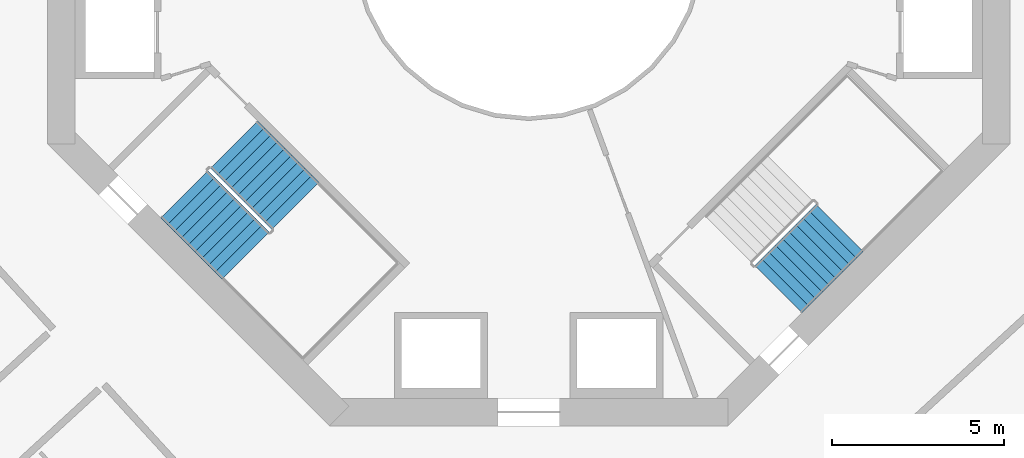
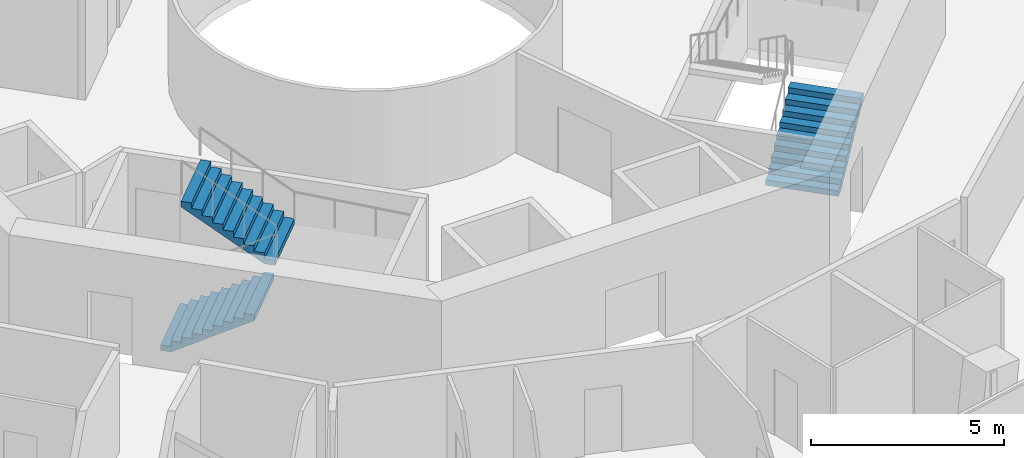
# One storey, part 22 of 24: 3 stair flights, 2 elements without a shape of their own.
"""IFC4 building model written with IfcOpenShell, lengths in metres."""

from ifc_helpers import new_model, si_unit, direction, frame, origin, place, context, subcontext, project, spatial, triangles, material, type_object, element, aggregate, save


model = new_model("IFC4")

# Units and contexts
model_context = context("Model", 3, precision=1e-05, world=origin(), true_north=direction((0.0, 1.0)))
body_context = subcontext(model_context, "Body", "Model", "MODEL_VIEW")
ifc_project = project(units=[si_unit("LENGTHUNIT", "METRE"), si_unit("AREAUNIT", "SQUARE_METRE"), si_unit("VOLUMEUNIT", "CUBIC_METRE"), si_unit("PLANEANGLEUNIT", "RADIAN"), si_unit("MASSUNIT", "GRAM", prefix="KILO")], contexts=[model_context])

# Site, building, storey
site_placement = place(None, origin())
site = spatial("IfcSite", under=ifc_project, at=site_placement, CompositionType="ELEMENT")
building_placement = place(site_placement, origin())
building = spatial("IfcBuilding", under=site, at=building_placement, Name="Verdalira Terraces Hotel", CompositionType="ELEMENT")
storey_placement = place(building_placement, frame((0.0, 0.0, 86.0)))
storey = spatial("IfcBuildingStorey", under=building, at=storey_placement, Name="L19", CompositionType="ELEMENT", Elevation=86.0)

# Stair, stair flights
ifc_material_1 = material(Name="Concrete C40", Category="concrete")
stair_type = type_object("IfcStairType", Name="Core stair 20 risers 1950 mm wide", PredefinedType="HALF_TURN_STAIR", material=ifc_material_1)
stair_1_placement = place(storey_placement, origin())
stair_1 = element("IfcStair", 1, at=stair_1_placement, inside=storey, type_object=stair_type, Name="L19 Exit stair ST2", PredefinedType="HALF_TURN_STAIR")
ifc_material_2 = material(Name="Concrete C40", Category="concrete")
stair_flight_type = type_object("IfcStairFlightType", Name="Core stair flight 20 risers 1950 mm wide", PredefinedType="STRAIGHT", material=ifc_material_2)
stair_flight_1_placement = place(storey_placement, frame((-10.023193, -7.265625, 0.0), z_axis=(0.0, 0.0, 1.0), x_axis=(0.707106781, -0.707106781, 0.0)))
stair_flight_1 = element("IfcStairFlight", 2, at=stair_flight_1_placement, type_object=stair_flight_type, Name="ST2 flight 1", NumberOfRisers=10, NumberOfTreads=9, PredefinedType="STRAIGHT", RiserHeight=0.175, TreadLength=0.28, context=body_context, shape_type="Tessellation", body=[
    triangles([(0.0, 0.974976, 0.0), (0.282715, 0.974976, 0.0), (2.52002, 0.974976, 1.398193), (0.0, -0.974976, 0.0), (0.282715, -0.974976, 0.0), (2.52002, -0.974976, 1.398193), (2.52002, 0.974976, 1.574951), (2.23999, 0.974976, 1.574951), (2.52002, -0.974976, 1.574951), (2.23999, -0.974976, 1.574951), (2.23999, 0.974976, 1.399902), (2.23999, -0.974976, 1.399902), (1.959961, 0.974976, 1.399902), (1.959961, -0.974976, 1.399902), (1.959961, 0.974976, 1.225098), (1.959961, -0.974976, 1.225098), (1.679932, 0.974976, 1.225098), (1.679932, 0.974976, 1.050049), (1.679932, -0.974976, 1.225098), (1.679932, -0.974976, 1.050049), (1.399902, 0.974976, 1.050049), (1.399902, 0.974976, 0.875), (1.399902, -0.974976, 1.050049), (1.399902, -0.974976, 0.875), (1.120117, 0.974976, 0.875), (1.120117, 0.974976, 0.699951), (1.120117, -0.974976, 0.875), (1.120117, -0.974976, 0.699951), (0.840088, 0.974976, 0.699951), (0.840088, 0.974976, 0.524902), (0.840088, -0.974976, 0.699951), (0.840088, -0.974976, 0.524902), (0.560059, 0.974976, 0.524902), (0.560059, 0.974976, 0.350098), (0.560059, -0.974976, 0.524902), (0.560059, -0.974976, 0.350098), (0.280029, 0.974976, 0.350098), (0.280029, 0.974976, 0.175049), (0.280029, -0.974976, 0.350098), (0.280029, -0.974976, 0.175049), (0.0, 0.974976, 0.175049), (0.0, -0.974976, 0.175049), (0.0, -0.91404, 0.0), (0.0, -0.91404, 0.175049), (0.0, -0.853104, 0.0), (0.0, -0.853104, 0.175049), (0.0, -0.792168, 0.0), (0.0, -0.792168, 0.175049), (0.0, -0.731232, 0.0), (0.0, -0.731232, 0.175049), (0.0, -0.670296, 0.0), (0.0, -0.670296, 0.175049), (0.0, -0.60936, 0.0), (0.0, -0.60936, 0.175049), (0.0, -0.548424, 0.0), (0.0, -0.548424, 0.175049), (0.0, -0.487488, 0.0), (0.0, -0.487488, 0.175049), (0.0, -0.426552, 0.0), (0.0, -0.426552, 0.175049), (0.0, -0.365616, 0.0), (0.0, -0.365616, 0.175049), (0.0, -0.30468, 0.0), (0.0, -0.30468, 0.175049), (0.0, -0.243744, 0.0), (0.0, -0.243744, 0.175049), (0.0, -0.182808, 0.0), (0.0, -0.182808, 0.175049), (0.0, -0.121872, 0.0), (0.0, -0.121872, 0.175049), (0.0, -0.060936, 0.0), (0.0, -0.060936, 0.175049), (0.0, 0.0, 0.0), (0.0, 0.0, 0.175049), (0.0, 0.060936, 0.0), (0.0, 0.060936, 0.175049), (0.0, 0.121872, 0.0), (0.0, 0.121872, 0.175049), (0.0, 0.182808, 0.0), (0.0, 0.182808, 0.175049), (0.0, 0.243744, 0.0), (0.0, 0.243744, 0.175049), (0.0, 0.30468, 0.0), (0.0, 0.30468, 0.175049), (0.0, 0.365616, 0.0), (0.0, 0.365616, 0.175049), (0.0, 0.426552, 0.0), (0.0, 0.426552, 0.175049), (0.0, 0.487488, 0.0), (0.0, 0.487488, 0.175049), (0.0, 0.548424, 0.0), (0.0, 0.548424, 0.175049), (0.0, 0.60936, 0.0), (0.0, 0.60936, 0.175049), (0.0, 0.670296, 0.0), (0.0, 0.670296, 0.175049), (0.0, 0.731232, 0.0), (0.0, 0.731232, 0.175049), (0.0, 0.792168, 0.0), (0.0, 0.792168, 0.175049), (0.0, 0.853104, 0.0), (0.0, 0.853104, 0.175049), (0.0, 0.91404, 0.0), (0.0, 0.91404, 0.175049), (2.52002, -0.91404, 1.574951), (2.52002, -0.853104, 1.574951), (2.52002, -0.792168, 1.574951), (2.52002, -0.731232, 1.574951), (2.52002, -0.670296, 1.574951), (2.52002, -0.60936, 1.574951), (2.52002, -0.548424, 1.574951), (2.52002, -0.487488, 1.574951), (2.52002, -0.426552, 1.574951), (2.52002, -0.365616, 1.574951), (2.52002, -0.30468, 1.574951), (2.52002, -0.243744, 1.574951), (2.52002, -0.182808, 1.574951), (2.52002, -0.121872, 1.574951), (2.52002, -0.060936, 1.574951), (2.52002, 0.0, 1.574951), (2.52002, 0.060936, 1.574951), (2.52002, 0.121872, 1.574951), (2.52002, 0.182808, 1.574951), (2.52002, 0.243744, 1.574951), (2.52002, 0.30468, 1.574951), (2.52002, 0.365616, 1.574951), (2.52002, 0.426552, 1.574951), (2.52002, 0.487488, 1.574951), (2.52002, 0.548424, 1.574951), (2.52002, 0.60936, 1.574951), (2.52002, 0.670296, 1.574951), (2.52002, 0.731232, 1.574951), (2.52002, 0.792168, 1.574951), (2.52002, 0.853104, 1.574951), (2.52002, 0.91404, 1.574951), (2.52002, -0.91404, 1.398193), (2.52002, -0.853104, 1.398193), (2.52002, -0.792168, 1.398193), (2.52002, -0.731232, 1.398193), (2.52002, -0.670296, 1.398193), (2.52002, -0.60936, 1.398193), (2.52002, -0.548424, 1.398193), (2.52002, -0.487488, 1.398193), (2.52002, -0.426552, 1.398193), (2.52002, -0.365616, 1.398193), (2.52002, -0.30468, 1.398193), (2.52002, -0.243744, 1.398193), (2.52002, -0.182808, 1.398193), (2.52002, -0.121872, 1.398193), (2.52002, -0.060936, 1.398193), (2.52002, 0.0, 1.398193), (2.52002, 0.060936, 1.398193), (2.52002, 0.121872, 1.398193), (2.52002, 0.182808, 1.398193), (2.52002, 0.243744, 1.398193), (2.52002, 0.30468, 1.398193), (2.52002, 0.365616, 1.398193), (2.52002, 0.426552, 1.398193), (2.52002, 0.487488, 1.398193), (2.52002, 0.548424, 1.398193), (2.52002, 0.60936, 1.398193), (2.52002, 0.670296, 1.398193), (2.52002, 0.731232, 1.398193), (2.52002, 0.792168, 1.398193), (2.52002, 0.853104, 1.398193), (2.52002, 0.91404, 1.398193)], [[1, 3, 2], [4, 5, 6], [3, 8, 7], [6, 9, 10], [3, 11, 8], [6, 10, 12], [3, 13, 11], [6, 12, 14], [3, 15, 13], [6, 14, 16], [15, 18, 17], [16, 19, 20], [3, 18, 15], [6, 16, 20], [18, 22, 21], [20, 23, 24], [3, 22, 18], [6, 20, 24], [22, 26, 25], [24, 27, 28], [3, 26, 22], [6, 24, 28], [26, 30, 29], [28, 31, 32], [3, 30, 26], [6, 28, 32], [1, 30, 3], [4, 6, 32], [30, 34, 33], [32, 35, 36], [34, 38, 37], [36, 39, 40], [30, 38, 34], [32, 36, 40], [1, 38, 30], [4, 32, 40], [38, 1, 41], [40, 42, 4], [4, 44, 43], [4, 42, 44], [43, 46, 45], [43, 44, 46], [45, 48, 47], [45, 46, 48], [47, 50, 49], [47, 48, 50], [49, 52, 51], [49, 50, 52], [51, 54, 53], [51, 52, 54], [53, 56, 55], [53, 54, 56], [55, 58, 57], [55, 56, 58], [57, 60, 59], [57, 58, 60], [59, 62, 61], [59, 60, 62], [61, 64, 63], [61, 62, 64], [63, 66, 65], [63, 64, 66], [65, 68, 67], [65, 66, 68], [67, 70, 69], [67, 68, 70], [69, 72, 71], [69, 70, 72], [71, 74, 73], [71, 72, 74], [73, 76, 75], [73, 74, 76], [75, 78, 77], [75, 76, 78], [77, 80, 79], [77, 78, 80], [79, 82, 81], [79, 80, 82], [81, 84, 83], [81, 82, 84], [83, 86, 85], [83, 84, 86], [85, 88, 87], [85, 86, 88], [87, 90, 89], [87, 88, 90], [89, 92, 91], [89, 90, 92], [91, 94, 93], [91, 92, 94], [93, 96, 95], [93, 94, 96], [95, 98, 97], [95, 96, 98], [97, 100, 99], [97, 98, 100], [99, 102, 101], [99, 100, 102], [101, 104, 103], [101, 102, 104], [103, 41, 1], [103, 104, 41], [42, 40, 44], [44, 40, 46], [46, 40, 48], [48, 40, 50], [50, 40, 52], [52, 40, 54], [54, 40, 56], [56, 40, 58], [58, 40, 60], [60, 40, 62], [62, 40, 64], [64, 40, 66], [66, 40, 68], [68, 40, 70], [70, 40, 72], [72, 40, 74], [74, 40, 76], [76, 40, 78], [78, 40, 80], [80, 40, 82], [82, 40, 84], [84, 40, 86], [86, 40, 88], [88, 40, 90], [90, 40, 92], [92, 40, 94], [94, 40, 96], [96, 40, 98], [98, 40, 100], [100, 40, 102], [102, 40, 104], [104, 40, 41], [41, 40, 38], [40, 37, 38], [40, 39, 37], [39, 34, 37], [39, 36, 34], [36, 33, 34], [36, 35, 33], [35, 30, 33], [35, 32, 30], [32, 29, 30], [32, 31, 29], [31, 26, 29], [31, 28, 26], [28, 25, 26], [28, 27, 25], [27, 22, 25], [27, 24, 22], [24, 21, 22], [24, 23, 21], [23, 18, 21], [23, 20, 18], [20, 17, 18], [20, 19, 17], [19, 15, 17], [19, 16, 15], [16, 13, 15], [16, 14, 13], [14, 11, 13], [14, 12, 11], [12, 8, 11], [12, 10, 8], [9, 105, 10], [105, 106, 10], [106, 107, 10], [107, 108, 10], [108, 109, 10], [109, 110, 10], [110, 111, 10], [111, 112, 10], [112, 113, 10], [113, 114, 10], [114, 115, 10], [115, 116, 10], [116, 117, 10], [117, 118, 10], [118, 119, 10], [119, 120, 10], [120, 121, 10], [121, 122, 10], [122, 123, 10], [123, 124, 10], [124, 125, 10], [125, 126, 10], [126, 127, 10], [127, 128, 10], [128, 129, 10], [129, 130, 10], [130, 131, 10], [131, 132, 10], [132, 133, 10], [133, 134, 10], [134, 135, 10], [135, 7, 10], [7, 8, 10], [9, 136, 105], [9, 6, 136], [105, 137, 106], [105, 136, 137], [106, 138, 107], [106, 137, 138], [107, 139, 108], [107, 138, 139], [108, 140, 109], [108, 139, 140], [109, 141, 110], [109, 140, 141], [110, 142, 111], [110, 141, 142], [111, 143, 112], [111, 142, 143], [112, 144, 113], [112, 143, 144], [113, 145, 114], [113, 144, 145], [114, 146, 115], [114, 145, 146], [115, 147, 116], [115, 146, 147], [116, 148, 117], [116, 147, 148], [117, 149, 118], [117, 148, 149], [118, 150, 119], [118, 149, 150], [119, 151, 120], [119, 150, 151], [120, 152, 121], [120, 151, 152], [121, 153, 122], [121, 152, 153], [122, 154, 123], [122, 153, 154], [123, 155, 124], [123, 154, 155], [124, 156, 125], [124, 155, 156], [125, 157, 126], [125, 156, 157], [126, 158, 127], [126, 157, 158], [127, 159, 128], [127, 158, 159], [128, 160, 129], [128, 159, 160], [129, 161, 130], [129, 160, 161], [130, 162, 131], [130, 161, 162], [131, 163, 132], [131, 162, 163], [132, 164, 133], [132, 163, 164], [133, 165, 134], [133, 164, 165], [134, 166, 135], [134, 165, 166], [135, 3, 7], [135, 166, 3], [6, 5, 136], [136, 5, 137], [137, 5, 138], [138, 5, 139], [139, 5, 140], [140, 5, 141], [141, 5, 142], [142, 5, 143], [143, 5, 144], [144, 5, 145], [145, 5, 146], [146, 5, 147], [147, 5, 148], [148, 5, 149], [149, 5, 150], [150, 5, 151], [151, 5, 152], [152, 5, 153], [153, 5, 154], [154, 5, 155], [155, 5, 156], [156, 5, 157], [157, 5, 158], [158, 5, 159], [159, 5, 160], [160, 5, 161], [161, 5, 162], [162, 5, 163], [163, 5, 164], [164, 5, 165], [165, 5, 166], [166, 5, 3], [3, 5, 2], [4, 43, 5], [43, 45, 5], [45, 47, 5], [47, 49, 5], [49, 51, 5], [51, 53, 5], [53, 55, 5], [55, 57, 5], [57, 59, 5], [59, 61, 5], [61, 63, 5], [63, 65, 5], [65, 67, 5], [67, 69, 5], [69, 71, 5], [71, 73, 5], [73, 75, 5], [75, 77, 5], [77, 79, 5], [79, 81, 5], [81, 83, 5], [83, 85, 5], [85, 87, 5], [87, 89, 5], [89, 91, 5], [91, 93, 5], [93, 95, 5], [95, 97, 5], [97, 99, 5], [99, 101, 5], [101, 103, 5], [103, 1, 5], [1, 2, 5]], closed=True),
])
stair_flight_2_placement = place(storey_placement, frame((-6.791748, -7.5979, 1.75), z_axis=(0.0, 0.0, 1.0), x_axis=(-0.707106781, 0.707106781, 0.0)))
stair_flight_2 = element("IfcStairFlight", 3, at=stair_flight_2_placement, type_object=stair_flight_type, Name="ST2 flight 2", NumberOfRisers=10, NumberOfTreads=9, PredefinedType="STRAIGHT", RiserHeight=0.175, TreadLength=0.28, context=body_context, shape_type="Tessellation", body=[
    triangles([(0.0, 0.974976, 0.0), (0.282715, 0.974976, 0.0), (2.52002, 0.974976, 1.398193), (0.0, -0.974976, 0.0), (0.282715, -0.974976, 0.0), (2.52002, -0.974976, 1.398193), (2.52002, 0.974976, 1.574951), (2.23999, 0.974976, 1.574951), (2.52002, -0.974976, 1.574951), (2.23999, -0.974976, 1.574951), (2.23999, 0.974976, 1.399902), (2.23999, -0.974976, 1.399902), (1.959961, 0.974976, 1.399902), (1.959961, -0.974976, 1.399902), (1.959961, 0.974976, 1.225098), (1.959961, -0.974976, 1.225098), (1.679932, 0.974976, 1.225098), (1.679932, 0.974976, 1.050049), (1.679932, -0.974976, 1.225098), (1.679932, -0.974976, 1.050049), (1.399902, 0.974976, 1.050049), (1.399902, 0.974976, 0.875), (1.399902, -0.974976, 1.050049), (1.399902, -0.974976, 0.875), (1.120117, 0.974976, 0.875), (1.120117, 0.974976, 0.699951), (1.120117, -0.974976, 0.875), (1.120117, -0.974976, 0.699951), (0.840088, 0.974976, 0.699951), (0.840088, 0.974976, 0.524902), (0.840088, -0.974976, 0.699951), (0.840088, -0.974976, 0.524902), (0.560059, 0.974976, 0.524902), (0.560059, 0.974976, 0.350098), (0.560059, -0.974976, 0.524902), (0.560059, -0.974976, 0.350098), (0.280029, 0.974976, 0.350098), (0.280029, 0.974976, 0.175049), (0.280029, -0.974976, 0.350098), (0.280029, -0.974976, 0.175049), (0.0, 0.974976, 0.175049), (0.0, -0.974976, 0.175049), (0.0, -0.91404, 0.0), (0.0, -0.91404, 0.175049), (0.0, -0.853104, 0.0), (0.0, -0.853104, 0.175049), (0.0, -0.792168, 0.0), (0.0, -0.792168, 0.175049), (0.0, -0.731232, 0.0), (0.0, -0.731232, 0.175049), (0.0, -0.670296, 0.0), (0.0, -0.670296, 0.175049), (0.0, -0.60936, 0.0), (0.0, -0.60936, 0.175049), (0.0, -0.548424, 0.0), (0.0, -0.548424, 0.175049), (0.0, -0.487488, 0.0), (0.0, -0.487488, 0.175049), (0.0, -0.426552, 0.0), (0.0, -0.426552, 0.175049), (0.0, -0.365616, 0.0), (0.0, -0.365616, 0.175049), (0.0, -0.30468, 0.0), (0.0, -0.30468, 0.175049), (0.0, -0.243744, 0.0), (0.0, -0.243744, 0.175049), (0.0, -0.182808, 0.0), (0.0, -0.182808, 0.175049), (0.0, -0.121872, 0.0), (0.0, -0.121872, 0.175049), (0.0, -0.060936, 0.0), (0.0, -0.060936, 0.175049), (0.0, 0.0, 0.0), (0.0, 0.0, 0.175049), (0.0, 0.060936, 0.0), (0.0, 0.060936, 0.175049), (0.0, 0.121872, 0.0), (0.0, 0.121872, 0.175049), (0.0, 0.182808, 0.0), (0.0, 0.182808, 0.175049), (0.0, 0.243744, 0.0), (0.0, 0.243744, 0.175049), (0.0, 0.30468, 0.0), (0.0, 0.30468, 0.175049), (0.0, 0.365616, 0.0), (0.0, 0.365616, 0.175049), (0.0, 0.426552, 0.0), (0.0, 0.426552, 0.175049), (0.0, 0.487488, 0.0), (0.0, 0.487488, 0.175049), (0.0, 0.548424, 0.0), (0.0, 0.548424, 0.175049), (0.0, 0.60936, 0.0), (0.0, 0.60936, 0.175049), (0.0, 0.670296, 0.0), (0.0, 0.670296, 0.175049), (0.0, 0.731232, 0.0), (0.0, 0.731232, 0.175049), (0.0, 0.792168, 0.0), (0.0, 0.792168, 0.175049), (0.0, 0.853104, 0.0), (0.0, 0.853104, 0.175049), (0.0, 0.91404, 0.0), (0.0, 0.91404, 0.175049), (2.52002, -0.91404, 1.574951), (2.52002, -0.853104, 1.574951), (2.52002, -0.792168, 1.574951), (2.52002, -0.731232, 1.574951), (2.52002, -0.670296, 1.574951), (2.52002, -0.60936, 1.574951), (2.52002, -0.548424, 1.574951), (2.52002, -0.487488, 1.574951), (2.52002, -0.426552, 1.574951), (2.52002, -0.365616, 1.574951), (2.52002, -0.30468, 1.574951), (2.52002, -0.243744, 1.574951), (2.52002, -0.182808, 1.574951), (2.52002, -0.121872, 1.574951), (2.52002, -0.060936, 1.574951), (2.52002, 0.0, 1.574951), (2.52002, 0.060936, 1.574951), (2.52002, 0.121872, 1.574951), (2.52002, 0.182808, 1.574951), (2.52002, 0.243744, 1.574951), (2.52002, 0.30468, 1.574951), (2.52002, 0.365616, 1.574951), (2.52002, 0.426552, 1.574951), (2.52002, 0.487488, 1.574951), (2.52002, 0.548424, 1.574951), (2.52002, 0.60936, 1.574951), (2.52002, 0.670296, 1.574951), (2.52002, 0.731232, 1.574951), (2.52002, 0.792168, 1.574951), (2.52002, 0.853104, 1.574951), (2.52002, 0.91404, 1.574951), (2.52002, -0.91404, 1.398193), (2.52002, -0.853104, 1.398193), (2.52002, -0.792168, 1.398193), (2.52002, -0.731232, 1.398193), (2.52002, -0.670296, 1.398193), (2.52002, -0.60936, 1.398193), (2.52002, -0.548424, 1.398193), (2.52002, -0.487488, 1.398193), (2.52002, -0.426552, 1.398193), (2.52002, -0.365616, 1.398193), (2.52002, -0.30468, 1.398193), (2.52002, -0.243744, 1.398193), (2.52002, -0.182808, 1.398193), (2.52002, -0.121872, 1.398193), (2.52002, -0.060936, 1.398193), (2.52002, 0.0, 1.398193), (2.52002, 0.060936, 1.398193), (2.52002, 0.121872, 1.398193), (2.52002, 0.182808, 1.398193), (2.52002, 0.243744, 1.398193), (2.52002, 0.30468, 1.398193), (2.52002, 0.365616, 1.398193), (2.52002, 0.426552, 1.398193), (2.52002, 0.487488, 1.398193), (2.52002, 0.548424, 1.398193), (2.52002, 0.60936, 1.398193), (2.52002, 0.670296, 1.398193), (2.52002, 0.731232, 1.398193), (2.52002, 0.792168, 1.398193), (2.52002, 0.853104, 1.398193), (2.52002, 0.91404, 1.398193)], [[1, 3, 2], [4, 5, 6], [3, 8, 7], [6, 9, 10], [3, 11, 8], [6, 10, 12], [3, 13, 11], [6, 12, 14], [3, 15, 13], [6, 14, 16], [15, 18, 17], [16, 19, 20], [3, 18, 15], [6, 16, 20], [18, 22, 21], [20, 23, 24], [3, 22, 18], [6, 20, 24], [22, 26, 25], [24, 27, 28], [3, 26, 22], [6, 24, 28], [26, 30, 29], [28, 31, 32], [3, 30, 26], [6, 28, 32], [1, 30, 3], [4, 6, 32], [30, 34, 33], [32, 35, 36], [34, 38, 37], [36, 39, 40], [30, 38, 34], [32, 36, 40], [1, 38, 30], [4, 32, 40], [38, 1, 41], [40, 42, 4], [4, 44, 43], [4, 42, 44], [43, 46, 45], [43, 44, 46], [45, 48, 47], [45, 46, 48], [47, 50, 49], [47, 48, 50], [49, 52, 51], [49, 50, 52], [51, 54, 53], [51, 52, 54], [53, 56, 55], [53, 54, 56], [55, 58, 57], [55, 56, 58], [57, 60, 59], [57, 58, 60], [59, 62, 61], [59, 60, 62], [61, 64, 63], [61, 62, 64], [63, 66, 65], [63, 64, 66], [65, 68, 67], [65, 66, 68], [67, 70, 69], [67, 68, 70], [69, 72, 71], [69, 70, 72], [71, 74, 73], [71, 72, 74], [73, 76, 75], [73, 74, 76], [75, 78, 77], [75, 76, 78], [77, 80, 79], [77, 78, 80], [79, 82, 81], [79, 80, 82], [81, 84, 83], [81, 82, 84], [83, 86, 85], [83, 84, 86], [85, 88, 87], [85, 86, 88], [87, 90, 89], [87, 88, 90], [89, 92, 91], [89, 90, 92], [91, 94, 93], [91, 92, 94], [93, 96, 95], [93, 94, 96], [95, 98, 97], [95, 96, 98], [97, 100, 99], [97, 98, 100], [99, 102, 101], [99, 100, 102], [101, 104, 103], [101, 102, 104], [103, 41, 1], [103, 104, 41], [42, 40, 44], [44, 40, 46], [46, 40, 48], [48, 40, 50], [50, 40, 52], [52, 40, 54], [54, 40, 56], [56, 40, 58], [58, 40, 60], [60, 40, 62], [62, 40, 64], [64, 40, 66], [66, 40, 68], [68, 40, 70], [70, 40, 72], [72, 40, 74], [74, 40, 76], [76, 40, 78], [78, 40, 80], [80, 40, 82], [82, 40, 84], [84, 40, 86], [86, 40, 88], [88, 40, 90], [90, 40, 92], [92, 40, 94], [94, 40, 96], [96, 40, 98], [98, 40, 100], [100, 40, 102], [102, 40, 104], [104, 40, 41], [41, 40, 38], [40, 37, 38], [40, 39, 37], [39, 34, 37], [39, 36, 34], [36, 33, 34], [36, 35, 33], [35, 30, 33], [35, 32, 30], [32, 29, 30], [32, 31, 29], [31, 26, 29], [31, 28, 26], [28, 25, 26], [28, 27, 25], [27, 22, 25], [27, 24, 22], [24, 21, 22], [24, 23, 21], [23, 18, 21], [23, 20, 18], [20, 17, 18], [20, 19, 17], [19, 15, 17], [19, 16, 15], [16, 13, 15], [16, 14, 13], [14, 11, 13], [14, 12, 11], [12, 8, 11], [12, 10, 8], [9, 105, 10], [105, 106, 10], [106, 107, 10], [107, 108, 10], [108, 109, 10], [109, 110, 10], [110, 111, 10], [111, 112, 10], [112, 113, 10], [113, 114, 10], [114, 115, 10], [115, 116, 10], [116, 117, 10], [117, 118, 10], [118, 119, 10], [119, 120, 10], [120, 121, 10], [121, 122, 10], [122, 123, 10], [123, 124, 10], [124, 125, 10], [125, 126, 10], [126, 127, 10], [127, 128, 10], [128, 129, 10], [129, 130, 10], [130, 131, 10], [131, 132, 10], [132, 133, 10], [133, 134, 10], [134, 135, 10], [135, 7, 10], [7, 8, 10], [9, 136, 105], [9, 6, 136], [105, 137, 106], [105, 136, 137], [106, 138, 107], [106, 137, 138], [107, 139, 108], [107, 138, 139], [108, 140, 109], [108, 139, 140], [109, 141, 110], [109, 140, 141], [110, 142, 111], [110, 141, 142], [111, 143, 112], [111, 142, 143], [112, 144, 113], [112, 143, 144], [113, 145, 114], [113, 144, 145], [114, 146, 115], [114, 145, 146], [115, 147, 116], [115, 146, 147], [116, 148, 117], [116, 147, 148], [117, 149, 118], [117, 148, 149], [118, 150, 119], [118, 149, 150], [119, 151, 120], [119, 150, 151], [120, 152, 121], [120, 151, 152], [121, 153, 122], [121, 152, 153], [122, 154, 123], [122, 153, 154], [123, 155, 124], [123, 154, 155], [124, 156, 125], [124, 155, 156], [125, 157, 126], [125, 156, 157], [126, 158, 127], [126, 157, 158], [127, 159, 128], [127, 158, 159], [128, 160, 129], [128, 159, 160], [129, 161, 130], [129, 160, 161], [130, 162, 131], [130, 161, 162], [131, 163, 132], [131, 162, 163], [132, 164, 133], [132, 163, 164], [133, 165, 134], [133, 164, 165], [134, 166, 135], [134, 165, 166], [135, 3, 7], [135, 166, 3], [6, 5, 136], [136, 5, 137], [137, 5, 138], [138, 5, 139], [139, 5, 140], [140, 5, 141], [141, 5, 142], [142, 5, 143], [143, 5, 144], [144, 5, 145], [145, 5, 146], [146, 5, 147], [147, 5, 148], [148, 5, 149], [149, 5, 150], [150, 5, 151], [151, 5, 152], [152, 5, 153], [153, 5, 154], [154, 5, 155], [155, 5, 156], [156, 5, 157], [157, 5, 158], [158, 5, 159], [159, 5, 160], [160, 5, 161], [161, 5, 162], [162, 5, 163], [163, 5, 164], [164, 5, 165], [165, 5, 166], [166, 5, 3], [3, 5, 2], [4, 43, 5], [43, 45, 5], [45, 47, 5], [47, 49, 5], [49, 51, 5], [51, 53, 5], [53, 55, 5], [55, 57, 5], [57, 59, 5], [59, 61, 5], [61, 63, 5], [63, 65, 5], [65, 67, 5], [67, 69, 5], [69, 71, 5], [71, 73, 5], [73, 75, 5], [75, 77, 5], [77, 79, 5], [79, 81, 5], [81, 83, 5], [83, 85, 5], [85, 87, 5], [87, 89, 5], [89, 91, 5], [91, 93, 5], [93, 95, 5], [95, 97, 5], [97, 99, 5], [99, 101, 5], [101, 103, 5], [103, 1, 5], [1, 2, 5]], closed=True),
])
aggregate(stair_1, [stair_flight_1, stair_flight_2])

# Stair, stair flight
stair_2_placement = place(storey_placement, origin())
stair_2 = element("IfcStair", 4, at=stair_2_placement, inside=storey, type_object=stair_type, Name="L19 Exit stair ST3", PredefinedType="HALF_TURN_STAIR")
stair_flight_3_placement = place(storey_placement, frame((7.265625, -10.023193, 0.0), z_axis=(0.0, 0.0, 1.0), x_axis=(0.707106781, 0.707106781, 0.0)))
stair_flight_3 = element("IfcStairFlight", 5, at=stair_flight_3_placement, type_object=stair_flight_type, Name="ST3 flight 1", NumberOfRisers=10, NumberOfTreads=9, PredefinedType="STRAIGHT", RiserHeight=0.175, TreadLength=0.28, context=body_context, shape_type="Tessellation", body=[
    triangles([(0.0, 0.974976, 0.0), (0.282715, 0.974976, 0.0), (2.52002, 0.974976, 1.398193), (0.0, -0.974976, 0.0), (0.282715, -0.974976, 0.0), (2.52002, -0.974976, 1.398193), (2.52002, 0.974976, 1.574951), (2.23999, 0.974976, 1.574951), (2.52002, -0.974976, 1.574951), (2.23999, -0.974976, 1.574951), (2.23999, 0.974976, 1.399902), (2.23999, -0.974976, 1.399902), (1.959961, 0.974976, 1.399902), (1.959961, -0.974976, 1.399902), (1.959961, 0.974976, 1.225098), (1.959961, -0.974976, 1.225098), (1.679932, 0.974976, 1.225098), (1.679932, 0.974976, 1.050049), (1.679932, -0.974976, 1.225098), (1.679932, -0.974976, 1.050049), (1.399902, 0.974976, 1.050049), (1.399902, 0.974976, 0.875), (1.399902, -0.974976, 1.050049), (1.399902, -0.974976, 0.875), (1.120117, 0.974976, 0.875), (1.120117, 0.974976, 0.699951), (1.120117, -0.974976, 0.875), (1.120117, -0.974976, 0.699951), (0.840088, 0.974976, 0.699951), (0.840088, 0.974976, 0.524902), (0.840088, -0.974976, 0.699951), (0.840088, -0.974976, 0.524902), (0.560059, 0.974976, 0.524902), (0.560059, 0.974976, 0.350098), (0.560059, -0.974976, 0.524902), (0.560059, -0.974976, 0.350098), (0.280029, 0.974976, 0.350098), (0.280029, 0.974976, 0.175049), (0.280029, -0.974976, 0.350098), (0.280029, -0.974976, 0.175049), (0.0, 0.974976, 0.175049), (0.0, -0.974976, 0.175049), (0.0, -0.91404, 0.0), (0.0, -0.91404, 0.175049), (0.0, -0.853104, 0.0), (0.0, -0.853104, 0.175049), (0.0, -0.792168, 0.0), (0.0, -0.792168, 0.175049), (0.0, -0.731232, 0.0), (0.0, -0.731232, 0.175049), (0.0, -0.670296, 0.0), (0.0, -0.670296, 0.175049), (0.0, -0.60936, 0.0), (0.0, -0.60936, 0.175049), (0.0, -0.548424, 0.0), (0.0, -0.548424, 0.175049), (0.0, -0.487488, 0.0), (0.0, -0.487488, 0.175049), (0.0, -0.426552, 0.0), (0.0, -0.426552, 0.175049), (0.0, -0.365616, 0.0), (0.0, -0.365616, 0.175049), (0.0, -0.30468, 0.0), (0.0, -0.30468, 0.175049), (0.0, -0.243744, 0.0), (0.0, -0.243744, 0.175049), (0.0, -0.182808, 0.0), (0.0, -0.182808, 0.175049), (0.0, -0.121872, 0.0), (0.0, -0.121872, 0.175049), (0.0, -0.060936, 0.0), (0.0, -0.060936, 0.175049), (0.0, 0.0, 0.0), (0.0, 0.0, 0.175049), (0.0, 0.060936, 0.0), (0.0, 0.060936, 0.175049), (0.0, 0.121872, 0.0), (0.0, 0.121872, 0.175049), (0.0, 0.182808, 0.0), (0.0, 0.182808, 0.175049), (0.0, 0.243744, 0.0), (0.0, 0.243744, 0.175049), (0.0, 0.30468, 0.0), (0.0, 0.30468, 0.175049), (0.0, 0.365616, 0.0), (0.0, 0.365616, 0.175049), (0.0, 0.426552, 0.0), (0.0, 0.426552, 0.175049), (0.0, 0.487488, 0.0), (0.0, 0.487488, 0.175049), (0.0, 0.548424, 0.0), (0.0, 0.548424, 0.175049), (0.0, 0.60936, 0.0), (0.0, 0.60936, 0.175049), (0.0, 0.670296, 0.0), (0.0, 0.670296, 0.175049), (0.0, 0.731232, 0.0), (0.0, 0.731232, 0.175049), (0.0, 0.792168, 0.0), (0.0, 0.792168, 0.175049), (0.0, 0.853104, 0.0), (0.0, 0.853104, 0.175049), (0.0, 0.91404, 0.0), (0.0, 0.91404, 0.175049), (2.52002, -0.91404, 1.574951), (2.52002, -0.853104, 1.574951), (2.52002, -0.792168, 1.574951), (2.52002, -0.731232, 1.574951), (2.52002, -0.670296, 1.574951), (2.52002, -0.60936, 1.574951), (2.52002, -0.548424, 1.574951), (2.52002, -0.487488, 1.574951), (2.52002, -0.426552, 1.574951), (2.52002, -0.365616, 1.574951), (2.52002, -0.30468, 1.574951), (2.52002, -0.243744, 1.574951), (2.52002, -0.182808, 1.574951), (2.52002, -0.121872, 1.574951), (2.52002, -0.060936, 1.574951), (2.52002, 0.0, 1.574951), (2.52002, 0.060936, 1.574951), (2.52002, 0.121872, 1.574951), (2.52002, 0.182808, 1.574951), (2.52002, 0.243744, 1.574951), (2.52002, 0.30468, 1.574951), (2.52002, 0.365616, 1.574951), (2.52002, 0.426552, 1.574951), (2.52002, 0.487488, 1.574951), (2.52002, 0.548424, 1.574951), (2.52002, 0.60936, 1.574951), (2.52002, 0.670296, 1.574951), (2.52002, 0.731232, 1.574951), (2.52002, 0.792168, 1.574951), (2.52002, 0.853104, 1.574951), (2.52002, 0.91404, 1.574951), (2.52002, -0.91404, 1.398193), (2.52002, -0.853104, 1.398193), (2.52002, -0.792168, 1.398193), (2.52002, -0.731232, 1.398193), (2.52002, -0.670296, 1.398193), (2.52002, -0.60936, 1.398193), (2.52002, -0.548424, 1.398193), (2.52002, -0.487488, 1.398193), (2.52002, -0.426552, 1.398193), (2.52002, -0.365616, 1.398193), (2.52002, -0.30468, 1.398193), (2.52002, -0.243744, 1.398193), (2.52002, -0.182808, 1.398193), (2.52002, -0.121872, 1.398193), (2.52002, -0.060936, 1.398193), (2.52002, 0.0, 1.398193), (2.52002, 0.060936, 1.398193), (2.52002, 0.121872, 1.398193), (2.52002, 0.182808, 1.398193), (2.52002, 0.243744, 1.398193), (2.52002, 0.30468, 1.398193), (2.52002, 0.365616, 1.398193), (2.52002, 0.426552, 1.398193), (2.52002, 0.487488, 1.398193), (2.52002, 0.548424, 1.398193), (2.52002, 0.60936, 1.398193), (2.52002, 0.670296, 1.398193), (2.52002, 0.731232, 1.398193), (2.52002, 0.792168, 1.398193), (2.52002, 0.853104, 1.398193), (2.52002, 0.91404, 1.398193)], [[1, 3, 2], [4, 5, 6], [3, 8, 7], [6, 9, 10], [3, 11, 8], [6, 10, 12], [3, 13, 11], [6, 12, 14], [3, 15, 13], [6, 14, 16], [15, 18, 17], [16, 19, 20], [3, 18, 15], [6, 16, 20], [18, 22, 21], [20, 23, 24], [3, 22, 18], [6, 20, 24], [22, 26, 25], [24, 27, 28], [3, 26, 22], [6, 24, 28], [26, 30, 29], [28, 31, 32], [3, 30, 26], [6, 28, 32], [1, 30, 3], [4, 6, 32], [30, 34, 33], [32, 35, 36], [34, 38, 37], [36, 39, 40], [30, 38, 34], [32, 36, 40], [1, 38, 30], [4, 32, 40], [38, 1, 41], [40, 42, 4], [4, 44, 43], [4, 42, 44], [43, 46, 45], [43, 44, 46], [45, 48, 47], [45, 46, 48], [47, 50, 49], [47, 48, 50], [49, 52, 51], [49, 50, 52], [51, 54, 53], [51, 52, 54], [53, 56, 55], [53, 54, 56], [55, 58, 57], [55, 56, 58], [57, 60, 59], [57, 58, 60], [59, 62, 61], [59, 60, 62], [61, 64, 63], [61, 62, 64], [63, 66, 65], [63, 64, 66], [65, 68, 67], [65, 66, 68], [67, 70, 69], [67, 68, 70], [69, 72, 71], [69, 70, 72], [71, 74, 73], [71, 72, 74], [73, 76, 75], [73, 74, 76], [75, 78, 77], [75, 76, 78], [77, 80, 79], [77, 78, 80], [79, 82, 81], [79, 80, 82], [81, 84, 83], [81, 82, 84], [83, 86, 85], [83, 84, 86], [85, 88, 87], [85, 86, 88], [87, 90, 89], [87, 88, 90], [89, 92, 91], [89, 90, 92], [91, 94, 93], [91, 92, 94], [93, 96, 95], [93, 94, 96], [95, 98, 97], [95, 96, 98], [97, 100, 99], [97, 98, 100], [99, 102, 101], [99, 100, 102], [101, 104, 103], [101, 102, 104], [103, 41, 1], [103, 104, 41], [42, 40, 44], [44, 40, 46], [46, 40, 48], [48, 40, 50], [50, 40, 52], [52, 40, 54], [54, 40, 56], [56, 40, 58], [58, 40, 60], [60, 40, 62], [62, 40, 64], [64, 40, 66], [66, 40, 68], [68, 40, 70], [70, 40, 72], [72, 40, 74], [74, 40, 76], [76, 40, 78], [78, 40, 80], [80, 40, 82], [82, 40, 84], [84, 40, 86], [86, 40, 88], [88, 40, 90], [90, 40, 92], [92, 40, 94], [94, 40, 96], [96, 40, 98], [98, 40, 100], [100, 40, 102], [102, 40, 104], [104, 40, 41], [41, 40, 38], [40, 37, 38], [40, 39, 37], [39, 34, 37], [39, 36, 34], [36, 33, 34], [36, 35, 33], [35, 30, 33], [35, 32, 30], [32, 29, 30], [32, 31, 29], [31, 26, 29], [31, 28, 26], [28, 25, 26], [28, 27, 25], [27, 22, 25], [27, 24, 22], [24, 21, 22], [24, 23, 21], [23, 18, 21], [23, 20, 18], [20, 17, 18], [20, 19, 17], [19, 15, 17], [19, 16, 15], [16, 13, 15], [16, 14, 13], [14, 11, 13], [14, 12, 11], [12, 8, 11], [12, 10, 8], [9, 105, 10], [105, 106, 10], [106, 107, 10], [107, 108, 10], [108, 109, 10], [109, 110, 10], [110, 111, 10], [111, 112, 10], [112, 113, 10], [113, 114, 10], [114, 115, 10], [115, 116, 10], [116, 117, 10], [117, 118, 10], [118, 119, 10], [119, 120, 10], [120, 121, 10], [121, 122, 10], [122, 123, 10], [123, 124, 10], [124, 125, 10], [125, 126, 10], [126, 127, 10], [127, 128, 10], [128, 129, 10], [129, 130, 10], [130, 131, 10], [131, 132, 10], [132, 133, 10], [133, 134, 10], [134, 135, 10], [135, 7, 10], [7, 8, 10], [9, 136, 105], [9, 6, 136], [105, 137, 106], [105, 136, 137], [106, 138, 107], [106, 137, 138], [107, 139, 108], [107, 138, 139], [108, 140, 109], [108, 139, 140], [109, 141, 110], [109, 140, 141], [110, 142, 111], [110, 141, 142], [111, 143, 112], [111, 142, 143], [112, 144, 113], [112, 143, 144], [113, 145, 114], [113, 144, 145], [114, 146, 115], [114, 145, 146], [115, 147, 116], [115, 146, 147], [116, 148, 117], [116, 147, 148], [117, 149, 118], [117, 148, 149], [118, 150, 119], [118, 149, 150], [119, 151, 120], [119, 150, 151], [120, 152, 121], [120, 151, 152], [121, 153, 122], [121, 152, 153], [122, 154, 123], [122, 153, 154], [123, 155, 124], [123, 154, 155], [124, 156, 125], [124, 155, 156], [125, 157, 126], [125, 156, 157], [126, 158, 127], [126, 157, 158], [127, 159, 128], [127, 158, 159], [128, 160, 129], [128, 159, 160], [129, 161, 130], [129, 160, 161], [130, 162, 131], [130, 161, 162], [131, 163, 132], [131, 162, 163], [132, 164, 133], [132, 163, 164], [133, 165, 134], [133, 164, 165], [134, 166, 135], [134, 165, 166], [135, 3, 7], [135, 166, 3], [6, 5, 136], [136, 5, 137], [137, 5, 138], [138, 5, 139], [139, 5, 140], [140, 5, 141], [141, 5, 142], [142, 5, 143], [143, 5, 144], [144, 5, 145], [145, 5, 146], [146, 5, 147], [147, 5, 148], [148, 5, 149], [149, 5, 150], [150, 5, 151], [151, 5, 152], [152, 5, 153], [153, 5, 154], [154, 5, 155], [155, 5, 156], [156, 5, 157], [157, 5, 158], [158, 5, 159], [159, 5, 160], [160, 5, 161], [161, 5, 162], [162, 5, 163], [163, 5, 164], [164, 5, 165], [165, 5, 166], [166, 5, 3], [3, 5, 2], [4, 43, 5], [43, 45, 5], [45, 47, 5], [47, 49, 5], [49, 51, 5], [51, 53, 5], [53, 55, 5], [55, 57, 5], [57, 59, 5], [59, 61, 5], [61, 63, 5], [63, 65, 5], [65, 67, 5], [67, 69, 5], [69, 71, 5], [71, 73, 5], [73, 75, 5], [75, 77, 5], [77, 79, 5], [79, 81, 5], [81, 83, 5], [83, 85, 5], [85, 87, 5], [87, 89, 5], [89, 91, 5], [91, 93, 5], [93, 95, 5], [95, 97, 5], [97, 99, 5], [99, 101, 5], [101, 103, 5], [103, 1, 5], [1, 2, 5]], closed=True),
])
aggregate(stair_2, [stair_flight_3])

save(model, "model.ifc")
